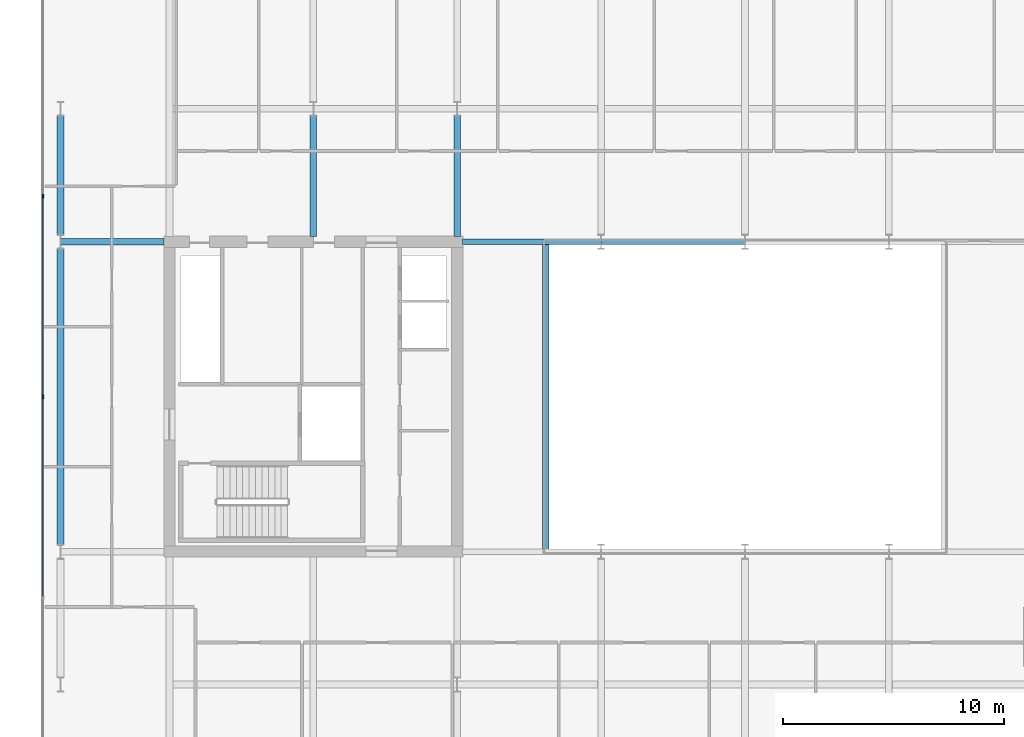
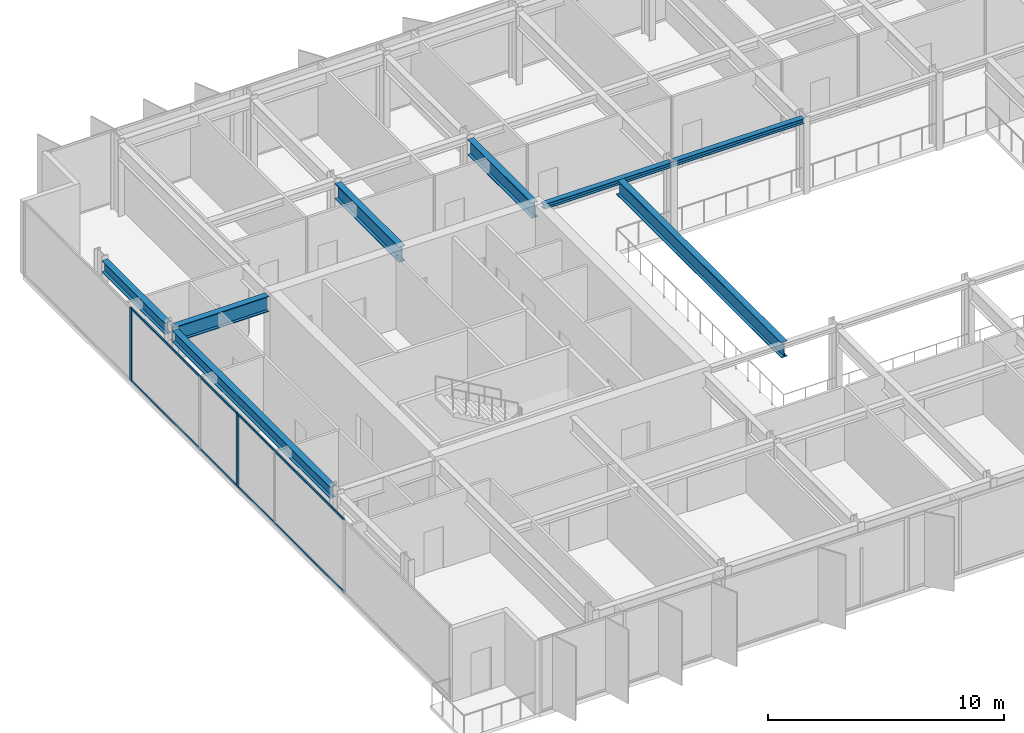
# One storey, part 5 of 20: 8 beams, 6 members, 1 element without a shape of its own.
"""IFC4 building model written with IfcOpenShell, lengths in metres."""

from ifc_helpers import new_model, si_unit, direction, frame, origin, origin_2d, place, context, subcontext, project, spatial, rectangle, i_section, extrude, material, layer, layer_set, material_profile, profile_set, type_object, element, aggregate, save


model = new_model("IFC4")

# Units and contexts
model_context = context("Model", 3, precision=1e-05, world=origin(), true_north=direction((0.0, 1.0)))
body_context = subcontext(model_context, "Body", "Model", "MODEL_VIEW")
ifc_project = project(units=[si_unit("LENGTHUNIT", "METRE"), si_unit("AREAUNIT", "SQUARE_METRE"), si_unit("VOLUMEUNIT", "CUBIC_METRE"), si_unit("PLANEANGLEUNIT", "RADIAN"), si_unit("MASSUNIT", "GRAM", prefix="KILO")], contexts=[model_context])

# Site, building, storey
site_placement = place(None, origin())
site = spatial("IfcSite", under=ifc_project, at=site_placement, CompositionType="ELEMENT")
building_placement = place(site_placement, origin())
building = spatial("IfcBuilding", under=site, at=building_placement, Name="Putna Gate Headquarters", CompositionType="ELEMENT")
storey_placement = place(building_placement, frame((0.0, 0.0, 290.39990234375)))
storey = spatial("IfcBuildingStorey", under=building, at=storey_placement, Name="L73", CompositionType="ELEMENT", Elevation=290.39990234375)

# Beams
ifc_material_1 = material(Name="Steel S355J2", Category="steel")
ifc_material_profile_1 = material_profile(ifc_material_1, i_section(OverallWidth=0.260009765625, OverallDepth=0.260009765625, WebThickness=0.010009765625, FlangeThickness=0.017578125, at=origin_2d()), Name="Steel S355J2")
ifc_profile_set_1 = profile_set([ifc_material_profile_1], Name="Steel S355J2")
beam_type_1 = type_object("IfcBeamType", Name="BM-ATRIUM-HEB260", PredefinedType="BEAM", material=ifc_profile_set_1)
beam_1_placement = place(storey_placement, frame((26.235107421875, 33.0, 3.658203125), z_axis=(1.0, 0.0, 0.0), x_axis=(0.0, 1.0, 0.0)))
element("IfcBeam", 1, at=beam_1_placement, inside=storey, type_object=beam_type_1, Name="L73 Atrium Edge Beam AN1", PredefinedType="BEAM", context=body_context, shape_type="SweptSolid", body=[
    extrude(i_section(OverallWidth=0.260009765625, OverallDepth=0.260009765625, WebThickness=0.010009765625, FlangeThickness=0.017578125, at=origin_2d()), origin(), (0.0, 0.0, 1.0), 6.2587890625),
])
beam_2_placement = place(storey_placement, frame((32.506103515625, 33.0, 3.658203125), z_axis=(1.0, 0.0, 0.0), x_axis=(0.0, 1.0, 0.0)))
element("IfcBeam", 2, at=beam_2_placement, inside=storey, type_object=beam_type_1, Name="L73 Atrium Edge Beam AN2", PredefinedType="BEAM", context=body_context, shape_type="SweptSolid", body=[
    extrude(i_section(OverallWidth=0.260009765625, OverallDepth=0.260009765625, WebThickness=0.010009765625, FlangeThickness=0.017578125, at=origin_2d()), origin(), (0.0, 0.0, 1.0), 6.48779296875),
])
ifc_material_profile_2 = material_profile(ifc_material_1, i_section(OverallWidth=0.300048828125, OverallDepth=0.800048828125, WebThickness=0.017578125, FlangeThickness=0.032958984375, at=origin_2d()), Name="Steel S355J2")
ifc_profile_set_2 = profile_set([ifc_material_profile_2], Name="Steel S355J2")
beam_type_2 = type_object("IfcBeamType", Name="BM-GIRD-P-HEB800", PredefinedType="USERDEFINED", material=ifc_profile_set_2)
beam_3_placement = place(storey_placement, frame((8.0859375, 33.0, 3.38818359375), z_axis=(1.0, 0.0, 0.0), x_axis=(0.0, 1.0, 0.0)))
element("IfcBeam", 3, at=beam_3_placement, inside=storey, type_object=beam_type_2, Name="L73 West Wing Girder Y33", ObjectType="GIRDER", PredefinedType="USERDEFINED", context=body_context, shape_type="SweptSolid", body=[
    extrude(i_section(OverallWidth=0.300048828125, OverallDepth=0.800048828125, WebThickness=0.017578125, FlangeThickness=0.032958984375, at=origin_2d()), origin(), (0.0, 0.0, 1.0), 4.678955078125),
])
for number, where, z_axis, x_axis, name in (
    (4, (19.5, 33.235107421875, 3.38818359375), (0.0, 1.0, 0.0), (-1.0, 0.0, 0.0), "L73 North Primary Girder X19-1"),
    (5, (26.0, 33.235107421875, 3.38818359375), (0.0, 1.0, 0.0), (-1.0, 0.0, 0.0), "L73 North Primary Girder X26-1"),
):
    element("IfcBeam", number, at=place(storey_placement, frame(where, z_axis=z_axis, x_axis=x_axis)), inside=storey, type_object=beam_type_2, Name=name, ObjectType="GIRDER", PredefinedType="USERDEFINED", context=body_context, shape_type="SweptSolid", body=[
        extrude(i_section(OverallWidth=0.300048828125, OverallDepth=0.800048828125, WebThickness=0.017578125, FlangeThickness=0.032958984375, at=origin_2d()), origin(), (0.0, 0.0, 1.0), 5.44287109375),
    ])
beam_4_placement = place(storey_placement, frame((30.0, 19.010009765625, 3.38818359375), z_axis=(0.0, 1.0, 0.0), x_axis=(-1.0, 0.0, 0.0)))
element("IfcBeam", 6, at=beam_4_placement, inside=storey, type_object=beam_type_2, Name="L73 Atrium Trim Girder AW", ObjectType="GIRDER", PredefinedType="USERDEFINED", context=body_context, shape_type="SweptSolid", body=[
    extrude(i_section(OverallWidth=0.300048828125, OverallDepth=0.800048828125, WebThickness=0.017578125, FlangeThickness=0.032958984375, at=origin_2d()), origin(), (0.0, 0.0, 1.0), 13.97998046875),
])
ifc_material_profile_3 = material_profile(ifc_material_1, i_section(OverallWidth=0.300048828125, OverallDepth=0.590087890625, WebThickness=0.012939453125, FlangeThickness=0.02490234375, at=origin_2d()), Name="Steel S355J2")
ifc_profile_set_3 = profile_set([ifc_material_profile_3], Name="Steel S355J2")
beam_type_3 = type_object("IfcBeamType", Name="BM-SPAN-Z4-HEA600", PredefinedType="SPANDREL", material=ifc_profile_set_3)
beam_5_placement = place(storey_placement, frame((8.080078125, 19.322021484375, 3.4931640625), z_axis=(0.0, 1.0, 0.0), x_axis=(-1.0, 0.0, 0.0)))
element("IfcBeam", 7, at=beam_5_placement, inside=storey, type_object=beam_type_3, Name="L73 W End Spandrel 2", PredefinedType="SPANDREL", context=body_context, shape_type="SweptSolid", body=[
    extrude(i_section(OverallWidth=0.300048828125, OverallDepth=0.590087890625, WebThickness=0.012939453125, FlangeThickness=0.02490234375, at=origin_2d()), origin(), (0.0, 0.0, 1.0), 13.35595703125),
])
beam_6_placement = place(storey_placement, frame((8.080078125, 33.322021484375, 3.4931640625), z_axis=(0.0, 1.0, 0.0), x_axis=(-1.0, 0.0, 0.0)))
element("IfcBeam", 8, at=beam_6_placement, inside=storey, type_object=beam_type_3, Name="L73 W End Spandrel 3", PredefinedType="SPANDREL", context=body_context, shape_type="SweptSolid", body=[
    extrude(i_section(OverallWidth=0.300048828125, OverallDepth=0.590087890625, WebThickness=0.012939453125, FlangeThickness=0.02490234375, at=origin_2d()), origin(), (0.0, 0.0, 1.0), 5.35595703125),
])

# Curtain wall, members
ifc_material_2 = material(Name="Anodised bronze aluminium curtain wall", Category="aluminium")
ifc_layer = layer(ifc_material_2, 0.179931640625)
ifc_layer_set = layer_set([ifc_layer], Name="Anodised bronze aluminium curtain wall")
curtain_wall_type = type_object("IfcCurtainWallType", Name="CW-SYS-Z5", PredefinedType="USERDEFINED", material=ifc_layer_set)
curtain_wall_placement = place(storey_placement, origin())
curtain_wall = element("IfcCurtainWall", 9, at=curtain_wall_placement, inside=storey, type_object=curtain_wall_type, Name="L73 West Curtain Wall", ObjectType="STICK CURTAIN WALL", PredefinedType="USERDEFINED")
ifc_material_3 = material(Name="Anodised bronze aluminium EN AW-6060", Category="aluminium")
ifc_material_profile_4 = material_profile(ifc_material_3, rectangle(XDim=0.070068359375, YDim=0.179931640625, at=origin_2d()), Name="Anodised bronze aluminium EN AW-6060")
ifc_profile_set_4 = profile_set([ifc_material_profile_4], Name="Anodised bronze aluminium EN AW-6060")
member_type_1 = type_object("IfcMemberType", Name="MULL-CWM-5", PredefinedType="MULLION", material=ifc_profile_set_4)
member_1_placement = place(storey_placement, frame((7.280029296875, 26.0, 0.0), z_axis=(0.0, 0.0, 1.0), x_axis=(-1.0, 0.0, 0.0)))
member_1 = element("IfcMember", 10, at=member_1_placement, type_object=member_type_1, Name="CWS-5 mullion 3", PredefinedType="MULLION", context=body_context, shape_type="SweptSolid", body=[
    extrude(rectangle(XDim=0.070068359375, YDim=0.179931640625, at=origin_2d()), origin(), (0.0, 0.0, 1.0), 3.7880859375),
])
member_2_placement = place(storey_placement, frame((7.280029296875, 35.050048828125, 0.0), z_axis=(0.0, 0.0, 1.0), x_axis=(-1.0, 0.0, 0.0)))
member_2 = element("IfcMember", 11, at=member_2_placement, type_object=member_type_1, Name="CWS-5 mullion 4", PredefinedType="MULLION", context=body_context, shape_type="SweptSolid", body=[
    extrude(rectangle(XDim=0.070068359375, YDim=0.179931640625, at=origin_2d()), origin(), (0.0, 0.0, 1.0), 3.7880859375),
])
ifc_material_profile_5 = material_profile(ifc_material_3, rectangle(XDim=0.06005859375, YDim=0.10009765625, at=origin_2d()), Name="Anodised bronze aluminium EN AW-6060")
ifc_profile_set_5 = profile_set([ifc_material_profile_5], Name="Anodised bronze aluminium EN AW-6060")
member_type_2 = type_object("IfcMemberType", Name="TRAN-CWT-5", PredefinedType="USERDEFINED", material=ifc_profile_set_5)
member_3_placement = place(storey_placement, frame((7.280029296875, 16.985107421875, 0.030029296875), z_axis=(0.0, 1.0, 0.0), x_axis=(-1.0, 0.0, 0.0)))
member_3 = element("IfcMember", 12, at=member_3_placement, type_object=member_type_2, Name="CWS-5 transom 2.1", ObjectType="TRANSOM", PredefinedType="USERDEFINED", context=body_context, shape_type="SweptSolid", body=[
    extrude(rectangle(XDim=0.06005859375, YDim=0.10009765625, at=origin_2d()), origin(), (0.0, 0.0, 1.0), 8.97998046875),
])
member_4_placement = place(storey_placement, frame((7.280029296875, 16.985107421875, 3.758056640625), z_axis=(0.0, 1.0, 0.0), x_axis=(-1.0, 0.0, 0.0)))
member_4 = element("IfcMember", 13, at=member_4_placement, type_object=member_type_2, Name="CWS-5 transom 2.2", ObjectType="TRANSOM", PredefinedType="USERDEFINED", context=body_context, shape_type="SweptSolid", body=[
    extrude(rectangle(XDim=0.06005859375, YDim=0.10009765625, at=origin_2d()), origin(), (0.0, 0.0, 1.0), 8.97998046875),
])
member_5_placement = place(storey_placement, frame((7.280029296875, 26.034912109375, 0.030029296875), z_axis=(0.0, 1.0, 0.0), x_axis=(-1.0, 0.0, 0.0)))
member_5 = element("IfcMember", 14, at=member_5_placement, type_object=member_type_2, Name="CWS-5 transom 3.1", ObjectType="TRANSOM", PredefinedType="USERDEFINED", context=body_context, shape_type="SweptSolid", body=[
    extrude(rectangle(XDim=0.06005859375, YDim=0.10009765625, at=origin_2d()), origin(), (0.0, 0.0, 1.0), 8.97998046875),
])
member_6_placement = place(storey_placement, frame((7.280029296875, 26.034912109375, 3.758056640625), z_axis=(0.0, 1.0, 0.0), x_axis=(-1.0, 0.0, 0.0)))
member_6 = element("IfcMember", 15, at=member_6_placement, type_object=member_type_2, Name="CWS-5 transom 3.2", ObjectType="TRANSOM", PredefinedType="USERDEFINED", context=body_context, shape_type="SweptSolid", body=[
    extrude(rectangle(XDim=0.06005859375, YDim=0.10009765625, at=origin_2d()), origin(), (0.0, 0.0, 1.0), 8.97998046875),
])
aggregate(curtain_wall, [member_1, member_2, member_3, member_4, member_5, member_6])

save(model, "model.ifc")
